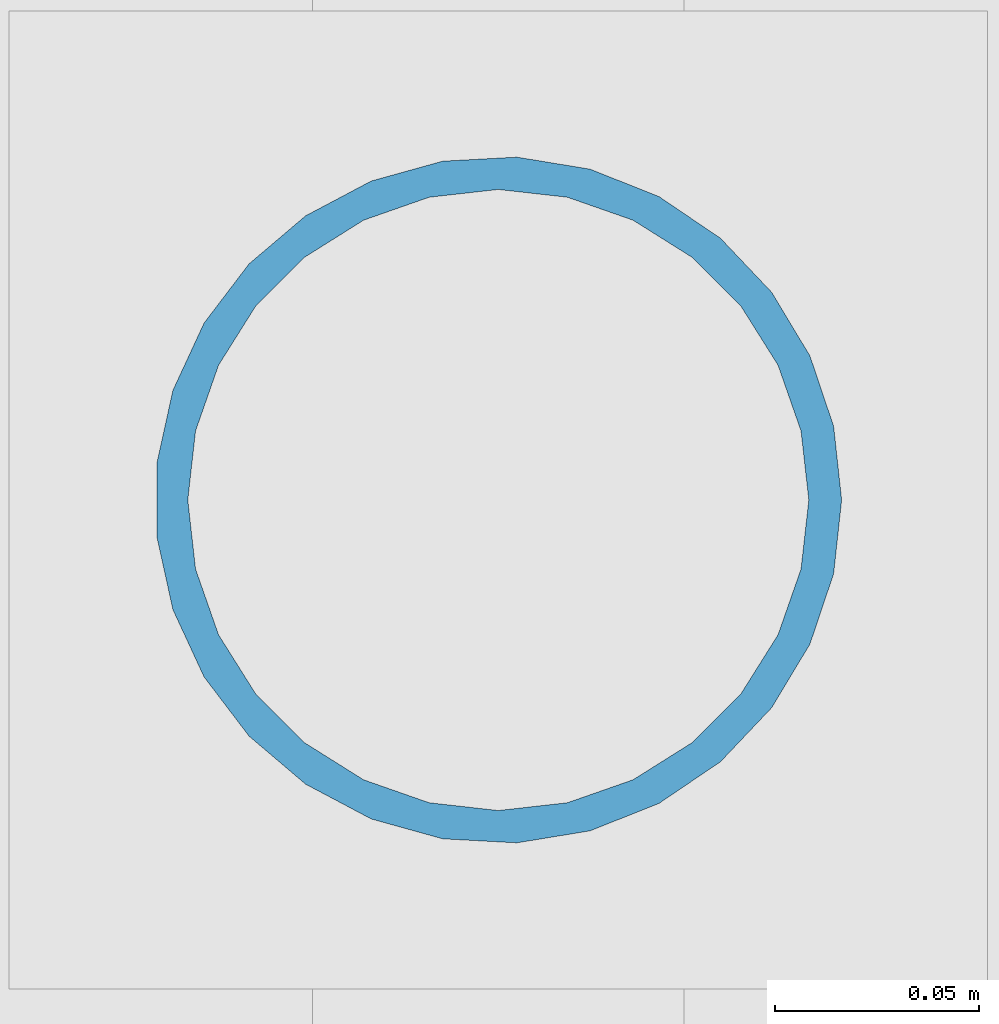
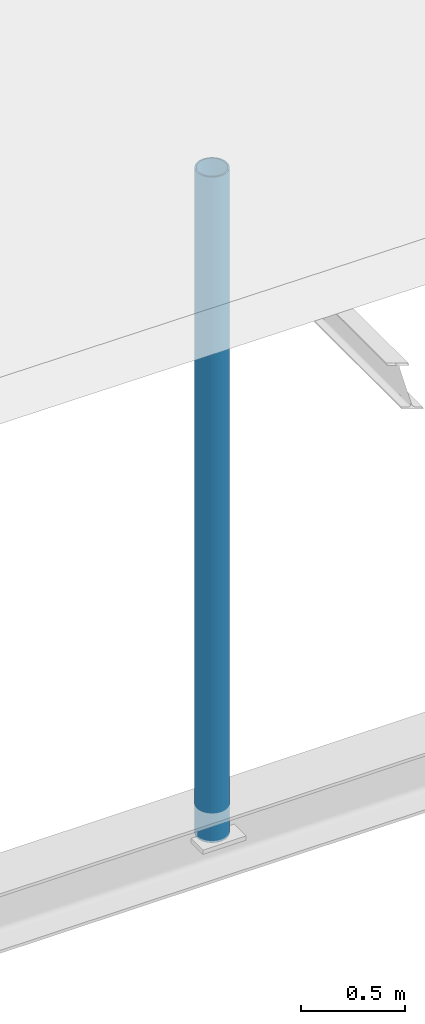
# One storey, part 16 of 49: 1 member.
"""IFC4 building model written with IfcOpenShell, lengths in metres."""

from ifc_helpers import new_model, si_unit, direction, frame, origin, origin_2d, place, context, subcontext, project, spatial, hollow_circle, extrude, material, material_profile, profile_set, type_object, element, save


model = new_model("IFC4")

# Units and contexts
model_context = context("Model", 3, precision=1e-05, world=origin(), true_north=direction((0.0, 1.0)))
body_context = subcontext(model_context, "Body", "Model", "MODEL_VIEW")
ifc_project = project(units=[si_unit("LENGTHUNIT", "METRE"), si_unit("AREAUNIT", "SQUARE_METRE"), si_unit("VOLUMEUNIT", "CUBIC_METRE"), si_unit("PLANEANGLEUNIT", "RADIAN"), si_unit("MASSUNIT", "GRAM", prefix="KILO")], contexts=[model_context])

# Site, building, storey
site_placement = place(None, origin())
site = spatial("IfcSite", under=ifc_project, at=site_placement, CompositionType="ELEMENT")
building_placement = place(site_placement, origin())
building = spatial("IfcBuilding", under=site, at=building_placement, Name="Sundkrona Museum", CompositionType="ELEMENT")
storey_placement = place(building_placement, frame((0.0, 0.0, 26.0)))
storey = spatial("IfcBuildingStorey", under=building, at=storey_placement, Name="L05", CompositionType="ELEMENT", Elevation=26.0)

# Member
ifc_material = material(Name="Steel S355J2", Category="steel")
ifc_material_profile = material_profile(ifc_material, hollow_circle(Radius=0.084228515625, WallThickness=0.008056640625, at=origin_2d()), Name="CHS 168.3x8.0")
ifc_profile_set = profile_set([ifc_material_profile], Name="Steel S355J2")
member_type = type_object("IfcMemberType", Name="ST-CHS168", PredefinedType="STRUT", material=ifc_profile_set)
member_placement = place(storey_placement, frame((94.0, 16.0, -0.39990234375), z_axis=(0.0, 0.0, 1.0), x_axis=(1.0, 0.0, 0.0)))
element("IfcMember", 1, at=member_placement, inside=storey, type_object=member_type, Name="RFS-1 Atrium Truss 3 Web Strut 94", PredefinedType="STRUT", context=body_context, shape_type="SweptSolid", body=[
    extrude(hollow_circle(Radius=0.084228515625, WallThickness=0.008056640625, at=origin_2d()), origin(), (0.0, 0.0, 1.0), 3.915771484375),
])

save(model, "model.ifc")
